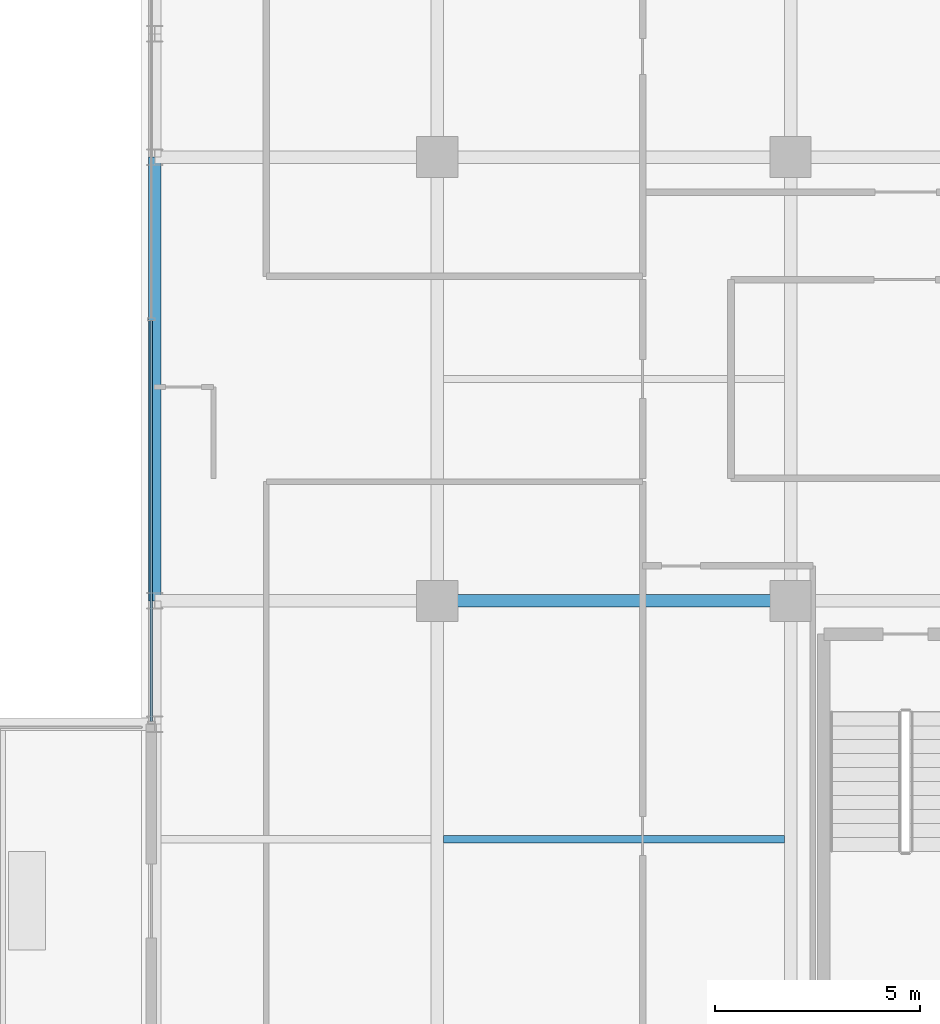
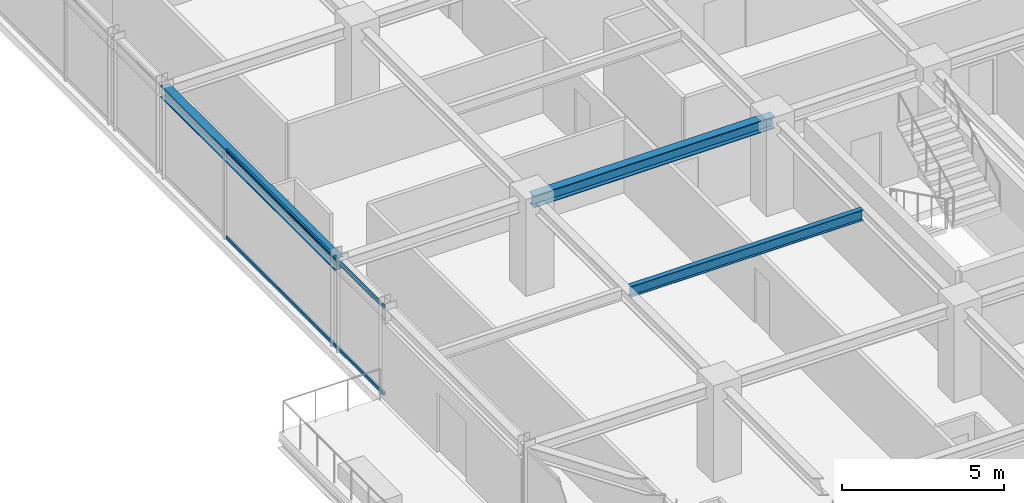
# One storey, part 9 of 35: 3 beams, 2 members, 1 element without a shape of its own.
"""IFC4 building model written with IfcOpenShell, lengths in metres."""

from ifc_helpers import new_model, si_unit, direction, frame, origin, origin_2d, place, context, subcontext, project, spatial, hollow_rectangle, i_section, extrude, source, transform, mapped, material, material_profile, profile_set, type_object, element, aggregate, save


model = new_model("IFC4")

# Units and contexts
model_context = context("Model", 3, precision=1e-05, world=origin(), true_north=direction((0.0, 1.0)))
body_context = subcontext(model_context, "Body", "Model", "MODEL_VIEW")
ifc_project = project(units=[si_unit("LENGTHUNIT", "METRE"), si_unit("AREAUNIT", "SQUARE_METRE"), si_unit("VOLUMEUNIT", "CUBIC_METRE"), si_unit("PLANEANGLEUNIT", "RADIAN"), si_unit("MASSUNIT", "GRAM", prefix="KILO")], contexts=[model_context])

# Site, building, storey
site_placement = place(None, origin())
site = spatial("IfcSite", under=ifc_project, at=site_placement, CompositionType="ELEMENT")
building_placement = place(site_placement, origin())
building = spatial("IfcBuilding", under=site, at=building_placement, Name="Nahalor Promenade Grand Hotel", CompositionType="ELEMENT")
storey_placement = place(building_placement, frame((0.0, 0.0, 245.60009765625)))
storey = spatial("IfcBuildingStorey", under=building, at=storey_placement, Name="L63", CompositionType="ELEMENT", Elevation=245.60009765625)

# Beams
ifc_material_1 = material(Name="Steel S355JR", Category="steel")
ifc_material_profile_1 = material_profile(ifc_material_1, i_section(OverallWidth=0.3, OverallDepth=0.45, WebThickness=0.014, FlangeThickness=0.026, at=origin_2d()), Name="HEB 450")
ifc_profile_set_1 = profile_set([ifc_material_profile_1], Name="Steel S355JR")
beam_type_1 = type_object("IfcBeamType", Name="Beam-Spandrel-HEB450", PredefinedType="SPANDREL", material=ifc_profile_set_1)
shared_shape_1 = source(origin(), body_context, "Body", "SweptSolid", [
    extrude(i_section(OverallWidth=0.3, OverallDepth=0.45, WebThickness=0.014, FlangeThickness=0.026, at=origin_2d()), origin(), (0.0, 0.0, 1.0), 10.7998046875),
])
beam_1_placement = place(storey_placement, frame((-23.8798828125, -5.39990234375, 3.184814453125), z_axis=(0.0, 1.0, 0.0), x_axis=(-1.0, 0.0, 0.0)))
element("IfcBeam", 1, at=beam_1_placement, inside=storey, type_object=beam_type_1, Name="BM-L63-SP-W-2", PredefinedType="SPANDREL", context=body_context, shape_type="MappedRepresentation", body=[
    mapped(shared_shape_1, transform((0.0, 0.0, 0.0), scale=1.0)),
])
ifc_material_profile_2 = material_profile(ifc_material_1, i_section(OverallWidth=0.3, OverallDepth=0.45, WebThickness=0.014, FlangeThickness=0.026, at=origin_2d()), Name="HEB 450")
ifc_profile_set_2 = profile_set([ifc_material_profile_2], Name="Steel S355JR")
beam_type_2 = type_object("IfcBeamType", Name="Beam-Girder-HEB450", PredefinedType="BEAM", material=ifc_profile_set_2)
shared_shape_2 = source(origin(), body_context, "Body", "SweptSolid", [
    extrude(i_section(OverallWidth=0.3, OverallDepth=0.45, WebThickness=0.014, FlangeThickness=0.026, at=origin_2d()), origin(), (0.0, 0.0, 1.0), 8.60009765625),
])
beam_2_placement = place(storey_placement, frame((-17.0, -5.39990234375, 3.184814453125), z_axis=(1.0, 0.0, 0.0), x_axis=(0.0, 1.0, 0.0)))
element("IfcBeam", 2, at=beam_2_placement, inside=storey, type_object=beam_type_2, Name="BM-L63-GX-1-1", PredefinedType="BEAM", context=body_context, shape_type="MappedRepresentation", body=[
    mapped(shared_shape_2, transform((0.0, 0.0, 0.0), scale=1.0)),
])
ifc_material_profile_3 = material_profile(ifc_material_1, i_section(OverallWidth=0.18, OverallDepth=0.4, WebThickness=0.0086, FlangeThickness=0.0135, at=origin_2d()), Name="IPE 400")
ifc_profile_set_3 = profile_set([ifc_material_profile_3], Name="Steel S355JR")
beam_type_3 = type_object("IfcBeamType", Name="Beam-Joist-IPE400", PredefinedType="JOIST", material=ifc_profile_set_3)
shared_shape_3 = source(origin(), body_context, "Body", "SweptSolid", [
    extrude(i_section(OverallWidth=0.18, OverallDepth=0.4, WebThickness=0.0086, FlangeThickness=0.0135, at=origin_2d()), origin(), (0.0, 0.0, 1.0), 8.300048828125),
])
beam_3_placement = place(storey_placement, frame((-16.85009765625, -11.199951171875, 3.2099609375), z_axis=(1.0, 0.0, 0.0), x_axis=(0.0, 1.0, 0.0)))
element("IfcBeam", 3, at=beam_3_placement, inside=storey, type_object=beam_type_3, Name="BM-L63-JSW-0-1", PredefinedType="JOIST", context=body_context, shape_type="MappedRepresentation", body=[
    mapped(shared_shape_3, transform((0.0, 0.0, 0.0), scale=1.0)),
])

# Curtain wall, members
ifc_material_2 = material(Name="Anodised Bronze Aluminium EN AW-6063 T6", Category="aluminium")
curtain_wall_type = type_object("IfcCurtainWallType", Name="CW2 Typical Hotel Flush Bronze Unitised Curtain Wall", PredefinedType="USERDEFINED", material=ifc_material_2)
curtain_wall_placement = place(storey_placement, origin())
curtain_wall = element("IfcCurtainWall", 4, at=curtain_wall_placement, inside=storey, type_object=curtain_wall_type, Name="L63 Curtain Wall CW-L63-W-3", ObjectType="UNITISED_CURTAIN_WALL", PredefinedType="USERDEFINED")
ifc_material_profile_4 = material_profile(ifc_material_2, hollow_rectangle(XDim=0.065, YDim=0.13, WallThickness=0.004, at=origin_2d()), Name="CWT 65x130x4")
ifc_profile_set_4 = profile_set([ifc_material_profile_4], Name="Anodised Bronze Aluminium EN AW-6063 T6")
member_type = type_object("IfcMemberType", Name="CWT2 Typical Bronze Transom 65x130", PredefinedType="USERDEFINED", material=ifc_profile_set_4)
shared_shape_4 = source(origin(), body_context, "Body", "SweptSolid", [
    extrude(hollow_rectangle(XDim=0.065, YDim=0.13, WallThickness=0.004, at=origin_2d()), origin(), (0.0, 0.0, 1.0), 9.755859375),
])
member_1_placement = place(storey_placement, frame((-23.9599609375, -8.3349609375, 0.06494140625), z_axis=(0.0, 1.0, 0.0), x_axis=(-1.0, 0.0, 0.0)))
member_1 = element("IfcMember", 5, at=member_1_placement, type_object=member_type, Name="CW-L63-W-3 Transom 0-0", ObjectType="TRANSOM", PredefinedType="USERDEFINED", context=body_context, shape_type="MappedRepresentation", body=[
    mapped(shared_shape_4, transform((0.0, 0.0, 0.0), scale=1.0)),
])
member_2_placement = place(storey_placement, frame((-23.9599609375, -8.3349609375, 3.344970703125), z_axis=(0.0, 1.0, 0.0), x_axis=(-1.0, 0.0, 0.0)))
member_2 = element("IfcMember", 6, at=member_2_placement, type_object=member_type, Name="CW-L63-W-3 Transom 0-1", ObjectType="TRANSOM", PredefinedType="USERDEFINED", context=body_context, shape_type="MappedRepresentation", body=[
    mapped(shared_shape_4, transform((0.0, 0.0, 0.0), scale=1.0)),
])
aggregate(curtain_wall, [member_1, member_2])

save(model, "model.ifc")
